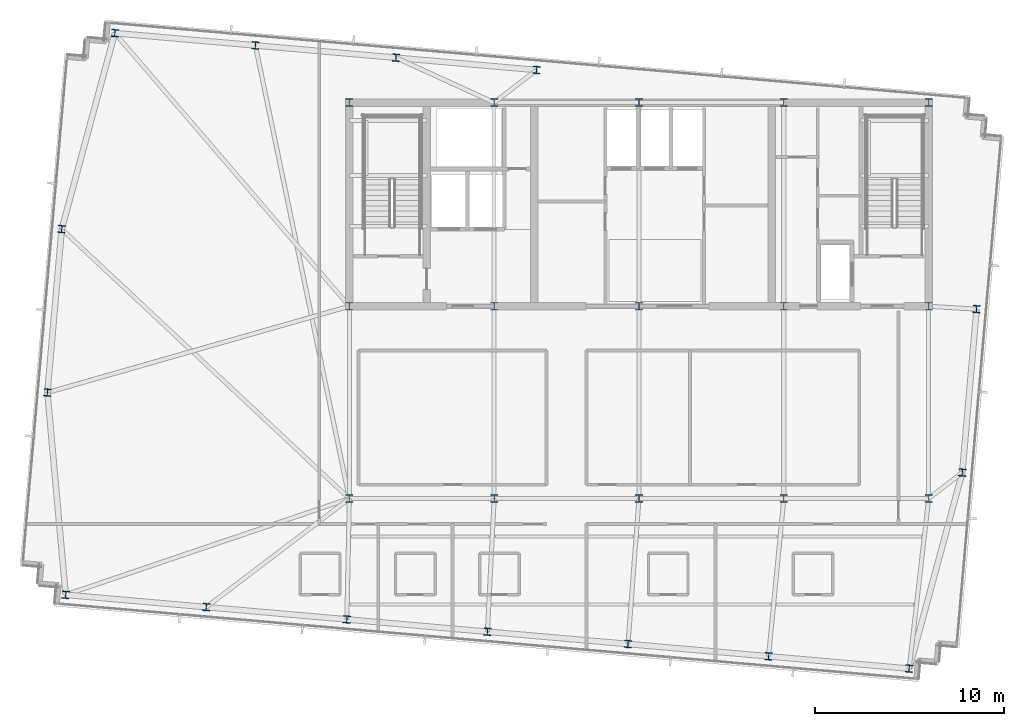
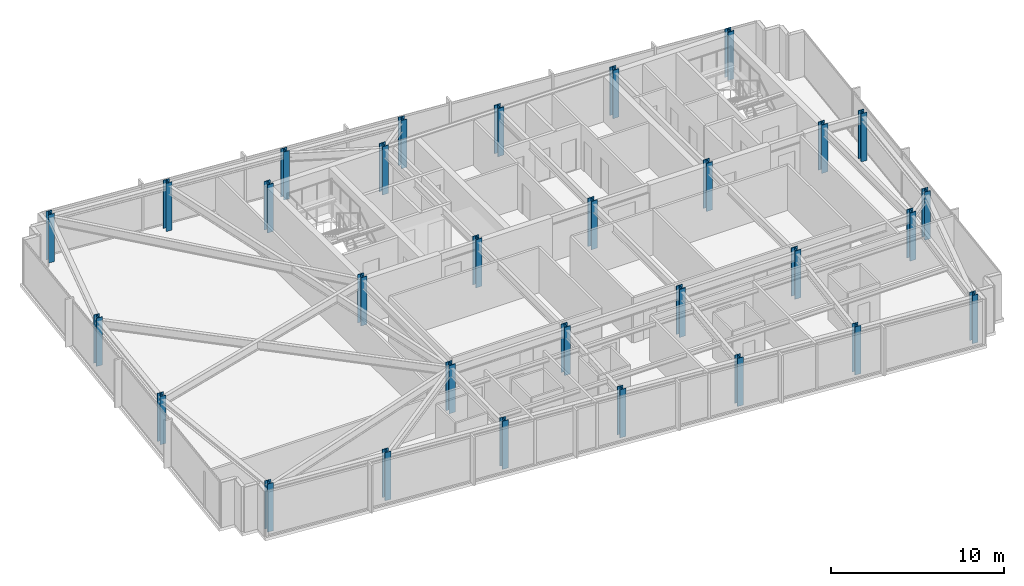
# One storey, part 1 of 33: 30 columns.
"""IFC4 building model written with IfcOpenShell, lengths in metres."""

from ifc_helpers import new_model, si_unit, direction, frame, origin, origin_2d, place, context, subcontext, project, spatial, i_section, extrude, material, material_profile, profile_set, type_object, element, save


model = new_model("IFC4")

# Units and contexts
model_context = context("Model", 3, precision=1e-05, world=origin(), true_north=direction((0.0, 1.0)))
body_context = subcontext(model_context, "Body", "Model", "MODEL_VIEW")
ifc_project = project(units=[si_unit("LENGTHUNIT", "METRE"), si_unit("AREAUNIT", "SQUARE_METRE"), si_unit("VOLUMEUNIT", "CUBIC_METRE"), si_unit("PLANEANGLEUNIT", "RADIAN"), si_unit("MASSUNIT", "GRAM", prefix="KILO")], contexts=[model_context])

# Site, building, storey
site_placement = place(None, origin())
site = spatial("IfcSite", under=ifc_project, at=site_placement, CompositionType="ELEMENT")
building_placement = place(site_placement, origin())
building = spatial("IfcBuilding", under=site, at=building_placement, Name="Yelkora Congress Tower", CompositionType="ELEMENT")
storey_placement = place(building_placement, frame((0.0, 0.0, 282.89990234375)))
storey = spatial("IfcBuildingStorey", under=building, at=storey_placement, Name="L79", CompositionType="ELEMENT", Elevation=282.89990234375)

# Columns
ifc_material_1 = material(Name="Steel S355J2", Category="steel")
ifc_material_profile_1 = material_profile(ifc_material_1, i_section(OverallWidth=0.3779296875, OverallDepth=0.386962890625, WebThickness=0.0205078125, FlangeThickness=0.033203125, FilletRadius=0.014892578125, at=origin_2d()), Name="HD 360x262")
ifc_profile_set_1 = profile_set([ifc_material_profile_1], Name="Steel S355J2")
column_type_1 = type_object("IfcColumnType", Name="COL-HD-262-EXT", PredefinedType="COLUMN", material=ifc_profile_set_1)
for number, where, z_axis, x_axis, name in (
    (1, (7.998046875, 20.097900390625, 0.0), (0.0, 0.0, 1.0), (0.996194698092, -0.087155742748, 0.0), "L79 Perimeter Column S01"),
    (2, (15.452880859375, 19.445556640625, 0.0), (0.0, 0.0, 1.0), (0.996194698092, -0.087155742748, 0.0), "L79 Perimeter Column S02"),
    (3, (22.90771484375, 18.793212890625, 0.0), (0.0, 0.0, 1.0), (0.996194698092, -0.087155742748, 0.0), "L79 Perimeter Column S03"),
    (4, (30.362548828125, 18.14111328125, 0.0), (0.0, 0.0, 1.0), (0.996194698092, -0.087155742748, 0.0), "L79 Perimeter Column S04"),
    (5, (37.8173828125, 17.489013671875, 0.0), (0.0, 0.0, 1.0), (0.996194698092, -0.087155742748, 0.0), "L79 Perimeter Column S05"),
    (6, (45.2724609375, 16.836669921875, 0.0), (0.0, 0.0, 1.0), (0.996194698092, -0.087155742748, 0.0), "L79 Perimeter Column S06"),
    (7, (52.727294921875, 16.1845703125, 0.0), (0.0, 0.0, 1.0), (0.996194698092, -0.087155742748, 0.0), "L79 Perimeter Column S07"),
    (8, (10.60400390625, 49.884033203125, 0.0), (0.0, 0.0, 1.0), (0.996194698092, -0.087155742748, 0.0), "L79 Perimeter Column N01"),
    (9, (18.058837890625, 49.231689453125, 0.0), (0.0, 0.0, 1.0), (0.996194698092, -0.087155742748, 0.0), "L79 Perimeter Column N02"),
    (10, (25.513916015625, 48.57958984375, 0.0), (0.0, 0.0, 1.0), (0.996194698092, -0.087155742748, 0.0), "L79 Perimeter Column N03"),
    (11, (32.968505859375, 47.927490234375, 0.0), (0.0, 0.0, 1.0), (0.996194698092, -0.087155742748, 0.0), "L79 Perimeter Column N04"),
    (12, (7.029052734375, 30.822998046875, 0.0), (0.0, 0.0, 1.0), (0.996194698092, -0.087155742748, 0.0), "L79 Perimeter Column W01"),
    (13, (55.543701171875, 26.57861328125, 0.0), (0.0, 0.0, 1.0), (0.996194698092, -0.087155742748, 0.0), "L79 Perimeter Column E01"),
    (14, (7.787353515625, 39.489990234375, 0.0), (0.0, 0.0, 1.0), (0.996194698092, -0.087155742748, 0.0), "L79 Perimeter Column W02"),
    (15, (56.302001953125, 35.24560546875, 0.0), (0.0, 0.0, 1.0), (0.996194698092, -0.087155742748, 0.0), "L79 Perimeter Column E02"),
):
    element("IfcColumn", number, at=place(storey_placement, frame(where, z_axis=z_axis, x_axis=x_axis)), inside=storey, type_object=column_type_1, Name=name, PredefinedType="COLUMN", context=body_context, shape_type="SweptSolid", body=[
        extrude(i_section(OverallWidth=0.3779296875, OverallDepth=0.386962890625, WebThickness=0.0205078125, FlangeThickness=0.033203125, FilletRadius=0.014892578125, at=origin_2d()), origin(), (0.0, 0.0, 1.0), 3.400146484375),
    ])
ifc_material_2 = material(Name="Steel S460M", Category="steel")
ifc_material_profile_2 = material_profile(ifc_material_2, i_section(OverallWidth=0.406005859375, OverallDepth=0.416015625, WebThickness=0.02978515625, FlangeThickness=0.048095703125, FilletRadius=0.014892578125, at=origin_2d()), Name="HD 400x382")
ifc_profile_set_2 = profile_set([ifc_material_profile_2], Name="Steel S460M")
column_type_2 = type_object("IfcColumnType", Name="COL-HD-382", PredefinedType="COLUMN", material=ifc_profile_set_2)
for number, where, z_axis, x_axis, name in (
    (16, (23.0400390625, 35.39990234375, 0.0), (0.0, 0.0, 1.0), (1.0, 0.0, 0.0), "L79 Mega Column MC-S1"),
    (17, (23.0400390625, 46.199951171875, 0.0), (0.0, 0.0, 1.0), (1.0, 0.0, 0.0), "L79 Mega Column MC-N1"),
    (18, (23.0400390625, 25.199951171875, 0.0), (0.0, 0.0, 1.0), (1.0, 0.0, 0.0), "L79 Mega Column MC-D1"),
    (19, (30.719970703125, 35.39990234375, 0.0), (0.0, 0.0, 1.0), (1.0, 0.0, 0.0), "L79 Mega Column MC-S2"),
    (20, (30.719970703125, 46.199951171875, 0.0), (0.0, 0.0, 1.0), (1.0, 0.0, 0.0), "L79 Mega Column MC-N2"),
    (21, (30.719970703125, 25.199951171875, 0.0), (0.0, 0.0, 1.0), (1.0, 0.0, 0.0), "L79 Mega Column MC-D2"),
    (22, (38.39990234375, 35.39990234375, 0.0), (0.0, 0.0, 1.0), (1.0, 0.0, 0.0), "L79 Mega Column MC-S3"),
    (23, (38.39990234375, 46.199951171875, 0.0), (0.0, 0.0, 1.0), (1.0, 0.0, 0.0), "L79 Mega Column MC-N3"),
    (24, (38.39990234375, 25.199951171875, 0.0), (0.0, 0.0, 1.0), (1.0, 0.0, 0.0), "L79 Mega Column MC-D3"),
    (25, (46.080078125, 35.39990234375, 0.0), (0.0, 0.0, 1.0), (1.0, 0.0, 0.0), "L79 Mega Column MC-S4"),
    (26, (46.080078125, 46.199951171875, 0.0), (0.0, 0.0, 1.0), (1.0, 0.0, 0.0), "L79 Mega Column MC-N4"),
    (27, (46.080078125, 25.199951171875, 0.0), (0.0, 0.0, 1.0), (1.0, 0.0, 0.0), "L79 Mega Column MC-D4"),
    (28, (53.760009765625, 35.39990234375, 0.0), (0.0, 0.0, 1.0), (1.0, 0.0, 0.0), "L79 Mega Column MC-S5"),
    (29, (53.760009765625, 46.199951171875, 0.0), (0.0, 0.0, 1.0), (1.0, 0.0, 0.0), "L79 Mega Column MC-N5"),
    (30, (53.760009765625, 25.199951171875, 0.0), (0.0, 0.0, 1.0), (1.0, 0.0, 0.0), "L79 Mega Column MC-D5"),
):
    element("IfcColumn", number, at=place(storey_placement, frame(where, z_axis=z_axis, x_axis=x_axis)), inside=storey, type_object=column_type_2, Name=name, PredefinedType="COLUMN", context=body_context, shape_type="SweptSolid", body=[
        extrude(i_section(OverallWidth=0.406005859375, OverallDepth=0.416015625, WebThickness=0.02978515625, FlangeThickness=0.048095703125, FilletRadius=0.014892578125, at=origin_2d()), origin(), (0.0, 0.0, 1.0), 3.400146484375),
    ])

save(model, "model.ifc")
